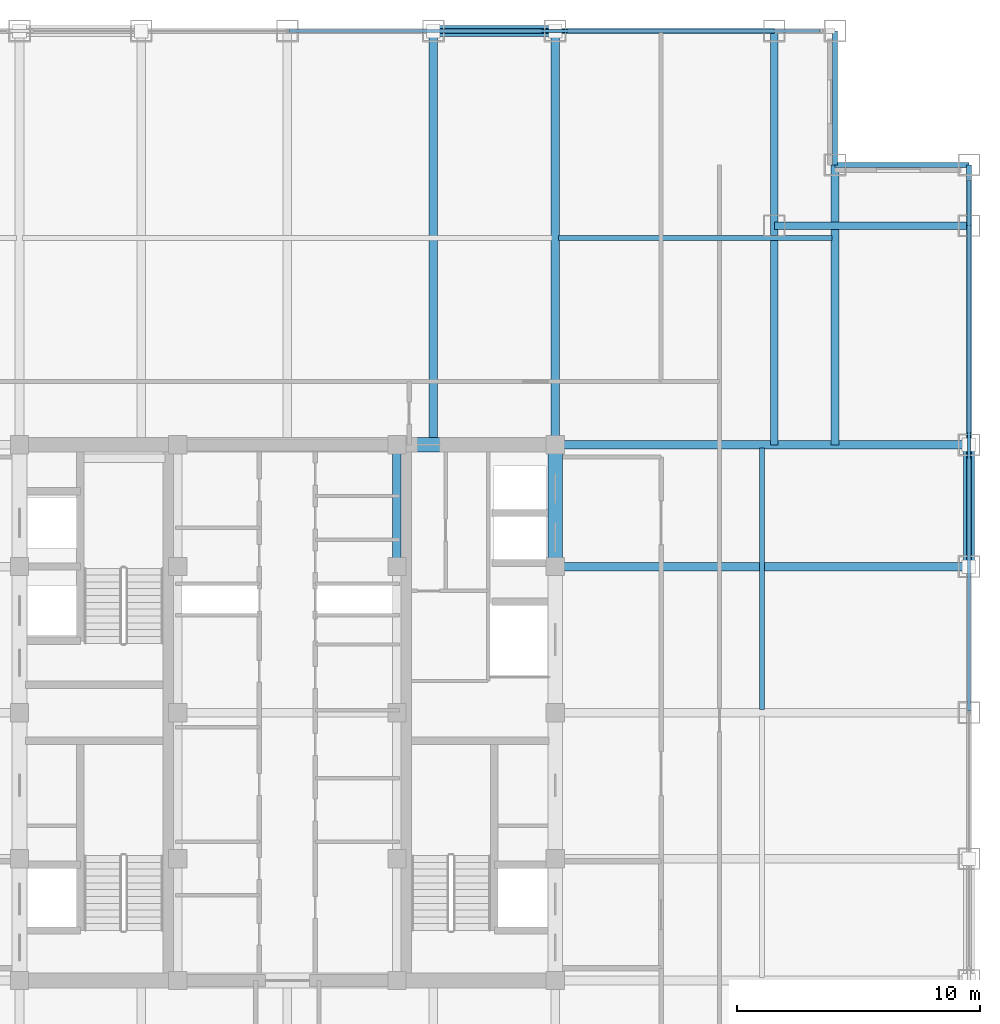
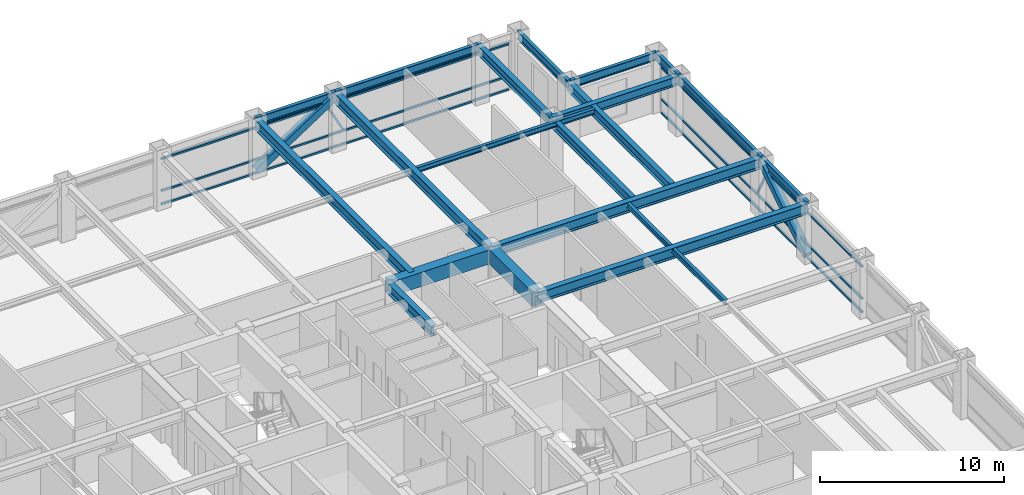
# One storey, part 15 of 22: 19 beams, 10 members, 2 elements without a shape of their own.
"""IFC4 building model written with IfcOpenShell, lengths in metres."""

from ifc_helpers import new_model, si_unit, direction, frame, origin, origin_2d, place, context, subcontext, project, spatial, rectangle, hollow_rectangle, i_section, extrude, source, transform, mapped, material, material_profile, profile_set, type_object, element, aggregate, save


model = new_model("IFC4")

# Units and contexts
model_context = context("Model", 3, precision=1e-05, world=origin(), true_north=direction((0.0, 1.0)))
body_context = subcontext(model_context, "Body", "Model", "MODEL_VIEW")
ifc_project = project(units=[si_unit("LENGTHUNIT", "METRE"), si_unit("AREAUNIT", "SQUARE_METRE"), si_unit("VOLUMEUNIT", "CUBIC_METRE"), si_unit("PLANEANGLEUNIT", "RADIAN"), si_unit("MASSUNIT", "GRAM", prefix="KILO")], contexts=[model_context])

# Site, building, storey
site_placement = place(None, origin())
site = spatial("IfcSite", under=ifc_project, at=site_placement, CompositionType="ELEMENT")
building_placement = place(site_placement, origin())
building = spatial("IfcBuilding", under=site, at=building_placement, Name="Khorayat Bourse Tower", CompositionType="ELEMENT")
storey_placement = place(building_placement, frame((0.0, 0.0, 297.5)))
storey = spatial("IfcBuildingStorey", under=building, at=storey_placement, Name="L70", CompositionType="ELEMENT", Elevation=297.5)

# Beams
ifc_material_1 = material(Name="Steel ASTM A992 Grade 50", Category="steel")
ifc_material_profile_1 = material_profile(ifc_material_1, i_section(OverallWidth=0.35498046875, OverallDepth=0.695068359375, WebThickness=0.015380859375, FlangeThickness=0.02490234375, FilletRadius=0.01806640625, at=origin_2d()), Name="W690X217")
ifc_profile_set_1 = profile_set([ifc_material_profile_1], Name="Steel ASTM A992 Grade 50")
beam_type_1 = type_object("IfcBeamType", Name="BM-GIRD-690", PredefinedType="BEAM", material=ifc_profile_set_1)
shared_shape_1 = source(origin(), body_context, "Body", "SweptSolid", [
    extrude(i_section(OverallWidth=0.35498046875, OverallDepth=0.695068359375, WebThickness=0.015380859375, FlangeThickness=0.02490234375, FilletRadius=0.01806640625, at=origin_2d()), origin(), (0.0, 0.0, 1.0), 5.0),
])
beam_1_placement = place(storey_placement, frame((4.5, 6.0, 3.4326171875), z_axis=(0.0, 1.0, 0.0), x_axis=(-1.0, 0.0, 0.0)))
element("IfcBeam", 1, at=beam_1_placement, inside=storey, type_object=beam_type_1, Name="L70 BM-GIRD-690 BM-L70-CRX-12", PredefinedType="BEAM", context=body_context, shape_type="MappedRepresentation", body=[
    mapped(shared_shape_1, transform((0.0, 0.0, 0.0), scale=1.0)),
])
ifc_material_profile_2 = material_profile(ifc_material_1, i_section(OverallWidth=0.324951171875, OverallDepth=0.615966796875, WebThickness=0.013916015625, FlangeThickness=0.021484375, FilletRadius=0.01611328125, at=origin_2d()), Name="W610X174")
ifc_profile_set_2 = profile_set([ifc_material_profile_2], Name="Steel ASTM A992 Grade 50")
beam_type_2 = type_object("IfcBeamType", Name="BM-GIRD-610", PredefinedType="BEAM", material=ifc_profile_set_2)
shared_shape_2 = source(origin(), body_context, "Body", "SweptSolid", [
    extrude(i_section(OverallWidth=0.324951171875, OverallDepth=0.615966796875, WebThickness=0.013916015625, FlangeThickness=0.021484375, FilletRadius=0.01611328125, at=origin_2d()), origin(), (0.0, 0.0, 1.0), 17.0),
])
beam_2_placement = place(storey_placement, frame((20.0, 11.0, 3.471923828125), z_axis=(0.0, 1.0, 0.0), x_axis=(-1.0, 0.0, 0.0)))
element("IfcBeam", 2, at=beam_2_placement, inside=storey, type_object=beam_type_2, Name="L70 BM-GIRD-610 BM-L70-CNRY-087", PredefinedType="BEAM", context=body_context, shape_type="MappedRepresentation", body=[
    mapped(shared_shape_2, transform((0.0, 0.0, 0.0), scale=1.0)),
])
ifc_material_2 = material(Name="Concrete C60/75", Category="concrete")
ifc_material_profile_3 = material_profile(ifc_material_2, rectangle(XDim=0.60009765625, YDim=0.949951171875, at=origin_2d()), Name="RC 600x950")
ifc_profile_set_3 = profile_set([ifc_material_profile_3], Name="Concrete C60/75")
beam_type_3 = type_object("IfcBeamType", Name="BM-COUP-950", PredefinedType="BEAM", material=ifc_profile_set_3)
shared_shape_3 = source(origin(), body_context, "Body", "SweptSolid", [
    extrude(rectangle(XDim=0.60009765625, YDim=0.949951171875, at=origin_2d()), origin(), (0.0, 0.0, 1.0), 5.0),
])
beam_3_placement = place(storey_placement, frame((11.0, 6.0, 3.304931640625), z_axis=(0.0, 1.0, 0.0), x_axis=(-1.0, 0.0, 0.0)))
element("IfcBeam", 3, at=beam_3_placement, inside=storey, type_object=beam_type_3, Name="L70 BM-COUP-950 BM-L70-CRX-16", PredefinedType="BEAM", context=body_context, shape_type="MappedRepresentation", body=[
    mapped(shared_shape_3, transform((0.0, 0.0, 0.0), scale=1.0)),
])
shared_shape_4 = source(origin(), body_context, "Body", "SweptSolid", [
    extrude(rectangle(XDim=0.60009765625, YDim=0.949951171875, at=origin_2d()), origin(), (0.0, 0.0, 1.0), 6.5),
])
beam_4_placement = place(storey_placement, frame((4.5, 11.0, 3.304931640625), z_axis=(1.0, 0.0, 0.0), x_axis=(0.0, 1.0, 0.0)))
element("IfcBeam", 4, at=beam_4_placement, inside=storey, type_object=beam_type_3, Name="L70 BM-COUP-950 BM-L70-CRY-22", PredefinedType="BEAM", context=body_context, shape_type="MappedRepresentation", body=[
    mapped(shared_shape_4, transform((0.0, 0.0, 0.0), scale=1.0)),
])

# Members
ifc_material_3 = material(Name="Steel EN 10025-4 S460M", Category="steel")
ifc_material_profile_4 = material_profile(ifc_material_3, hollow_rectangle(XDim=0.449951171875, YDim=0.449951171875, WallThickness=0.02490234375, at=origin_2d()), Name="HSS 450x450x25")
ifc_profile_set_4 = profile_set([ifc_material_profile_4], Name="Steel EN 10025-4 S460M")
member_type_1 = type_object("IfcMemberType", Name="MBR-TUBE-450", PredefinedType="BRACE", material=ifc_profile_set_4)
shared_shape_5 = source(origin(), body_context, "Body", "SweptSolid", [
    extrude(hollow_rectangle(XDim=0.449951171875, YDim=0.449951171875, WallThickness=0.02490234375, at=origin_2d()), origin(), (0.0, 0.0, 1.0), 5.979736328125),
])
for number, where, z_axis, x_axis, name in (
    (5, (6.0, 28.0, 0.25), (0.836141536525, 0.0, 0.548513747227), (0.0, 1.0, 0.0), "L70 Perimeter Tube Brace 04"),
    (6, (28.0, 6.0, 0.25), (0.0, 0.836141536525, 0.548513747227), (-1.0, 0.0, 0.0), "L70 Perimeter Tube Brace 08"),
):
    element("IfcMember", number, at=place(storey_placement, frame(where, z_axis=z_axis, x_axis=x_axis)), inside=storey, type_object=member_type_1, Name=name, PredefinedType="BRACE", context=body_context, shape_type="MappedRepresentation", body=[
        mapped(shared_shape_5, transform((0.0, 0.0, 0.0), scale=1.0)),
    ])

# Beams
shared_shape_6 = source(origin(), body_context, "Body", "SweptSolid", [
    extrude(i_section(OverallWidth=0.35498046875, OverallDepth=0.695068359375, WebThickness=0.015380859375, FlangeThickness=0.02490234375, FilletRadius=0.01806640625, at=origin_2d()), origin(), (0.0, 0.0, 1.0), 17.0),
])
for number, where, z_axis, x_axis, name in (
    (7, (6.0, 11.0, 3.4326171875), (0.0, 1.0, 0.0), (-1.0, 0.0, 0.0), "L70 BM-GIRD-690 BM-L70-RADY-070"),
    (8, (11.0, 11.0, 3.4326171875), (0.0, 1.0, 0.0), (-1.0, 0.0, 0.0), "L70 BM-GIRD-690 BM-L70-RADY-072"),
    (9, (11.0, 6.0, 3.4326171875), (1.0, 0.0, 0.0), (0.0, 1.0, 0.0), "L70 BM-GIRD-690 BM-L70-RADX-080"),
    (10, (11.0, 11.0, 3.4326171875), (1.0, 0.0, 0.0), (0.0, 1.0, 0.0), "L70 BM-GIRD-690 BM-L70-RADX-082"),
):
    element("IfcBeam", number, at=place(storey_placement, frame(where, z_axis=z_axis, x_axis=x_axis)), inside=storey, type_object=beam_type_1, Name=name, PredefinedType="BEAM", context=body_context, shape_type="MappedRepresentation", body=[
        mapped(shared_shape_6, transform((0.0, 0.0, 0.0), scale=1.0)),
    ])
shared_shape_7 = source(origin(), body_context, "Body", "SweptSolid", [
    extrude(i_section(OverallWidth=0.324951171875, OverallDepth=0.615966796875, WebThickness=0.013916015625, FlangeThickness=0.021484375, FilletRadius=0.01611328125, at=origin_2d()), origin(), (0.0, 0.0, 1.0), 11.5),
])
beam_5_placement = place(storey_placement, frame((22.5, 11.0, 3.471923828125), z_axis=(0.0, 1.0, 0.0), x_axis=(-1.0, 0.0, 0.0)))
element("IfcBeam", 11, at=beam_5_placement, inside=storey, type_object=beam_type_2, Name="L70 BM-GIRD-610 BM-L70-CNRY-091", PredefinedType="BEAM", context=body_context, shape_type="MappedRepresentation", body=[
    mapped(shared_shape_7, transform((0.0, 0.0, 0.0), scale=1.0)),
])
shared_shape_8 = source(origin(), body_context, "Body", "SweptSolid", [
    extrude(i_section(OverallWidth=0.324951171875, OverallDepth=0.615966796875, WebThickness=0.013916015625, FlangeThickness=0.021484375, FilletRadius=0.01611328125, at=origin_2d()), origin(), (0.0, 0.0, 1.0), 8.0),
])
beam_6_placement = place(storey_placement, frame((20.0, 20.0, 3.471923828125), z_axis=(1.0, 0.0, 0.0), x_axis=(0.0, 1.0, 0.0)))
element("IfcBeam", 12, at=beam_6_placement, inside=storey, type_object=beam_type_2, Name="L70 BM-GIRD-610 BM-L70-CNRX-094", PredefinedType="BEAM", context=body_context, shape_type="MappedRepresentation", body=[
    mapped(shared_shape_8, transform((0.0, 0.0, 0.0), scale=1.0)),
])
ifc_material_profile_5 = material_profile(ifc_material_1, i_section(OverallWidth=0.202880859375, OverallDepth=0.346923828125, WebThickness=0.0078125, FlangeThickness=0.013427734375, FilletRadius=0.010009765625, at=origin_2d()), Name="W360X64")
ifc_profile_set_5 = profile_set([ifc_material_profile_5], Name="Steel ASTM A992 Grade 50")
beam_type_4 = type_object("IfcBeamType", Name="BM-JOIST-360", PredefinedType="JOIST", material=ifc_profile_set_5)
shared_shape_9 = source(origin(), body_context, "Body", "SweptSolid", [
    extrude(i_section(OverallWidth=0.202880859375, OverallDepth=0.346923828125, WebThickness=0.0078125, FlangeThickness=0.013427734375, FilletRadius=0.010009765625, at=origin_2d()), origin(), (0.0, 0.0, 1.0), 11.240234375),
])
beam_7_placement = place(storey_placement, frame((11.1298828125, 19.5, 3.6064453125), z_axis=(1.0, 0.0, 0.0), x_axis=(0.0, 1.0, 0.0)))
element("IfcBeam", 13, at=beam_7_placement, inside=storey, type_object=beam_type_4, Name="L70 BM-JOIST-360 BM-L70-JSTX-101", PredefinedType="JOIST", context=body_context, shape_type="MappedRepresentation", body=[
    mapped(shared_shape_9, transform((0.0, 0.0, 0.0), scale=1.0)),
])
shared_shape_10 = source(origin(), body_context, "Body", "SweptSolid", [
    extrude(i_section(OverallWidth=0.202880859375, OverallDepth=0.346923828125, WebThickness=0.0078125, FlangeThickness=0.013427734375, FilletRadius=0.010009765625, at=origin_2d()), origin(), (0.0, 0.0, 1.0), 10.740234375),
])
beam_8_placement = place(storey_placement, frame((19.5, 0.1298828125, 3.6064453125), z_axis=(0.0, 1.0, 0.0), x_axis=(-1.0, 0.0, 0.0)))
element("IfcBeam", 14, at=beam_8_placement, inside=storey, type_object=beam_type_4, Name="L70 BM-JOIST-360 BM-L70-JSTY-105", PredefinedType="JOIST", context=body_context, shape_type="MappedRepresentation", body=[
    mapped(shared_shape_10, transform((0.0, 0.0, 0.0), scale=1.0)),
])
ifc_material_profile_6 = material_profile(ifc_material_1, i_section(OverallWidth=0.214111328125, OverallDepth=0.549072265625, WebThickness=0.0146484375, FlangeThickness=0.023681640625, FilletRadius=0.013916015625, at=origin_2d()), Name="W530X138")
ifc_profile_set_6 = profile_set([ifc_material_profile_6], Name="Steel ASTM A992 Grade 50")
beam_type_5 = type_object("IfcBeamType", Name="BM-SPAN-530", PredefinedType="SPANDREL", material=ifc_profile_set_6)
shared_shape_11 = source(origin(), body_context, "Body", "SweptSolid", [
    extrude(i_section(OverallWidth=0.214111328125, OverallDepth=0.549072265625, WebThickness=0.0146484375, FlangeThickness=0.023681640625, FilletRadius=0.013916015625, at=origin_2d()), origin(), (0.0, 0.0, 1.0), 2.5),
])
beam_9_placement = place(storey_placement, frame((28.0, 20.0, 3.505615234375), z_axis=(0.0, 1.0, 0.0), x_axis=(-1.0, 0.0, 0.0)))
element("IfcBeam", 15, at=beam_9_placement, inside=storey, type_object=beam_type_5, Name="L70 BM-SPAN-530 BM-L70-SPN-041", PredefinedType="SPANDREL", context=body_context, shape_type="MappedRepresentation", body=[
    mapped(shared_shape_11, transform((0.0, 0.0, 0.0), scale=1.0)),
])
shared_shape_12 = source(origin(), body_context, "Body", "SweptSolid", [
    extrude(i_section(OverallWidth=0.214111328125, OverallDepth=0.549072265625, WebThickness=0.0146484375, FlangeThickness=0.023681640625, FilletRadius=0.013916015625, at=origin_2d()), origin(), (0.0, 0.0, 1.0), 9.0),
])
for number, where, z_axis, x_axis, name in (
    (16, (28.0, 11.0, 3.505615234375), (0.0, 1.0, 0.0), (-1.0, 0.0, 0.0), "L70 BM-SPAN-530 BM-L70-SPN-040"),
    (17, (11.0, 28.0, 3.505615234375), (1.0, 0.0, 0.0), (0.0, 1.0, 0.0), "L70 BM-SPAN-530 BM-L70-SPN-045"),
):
    element("IfcBeam", number, at=place(storey_placement, frame(where, z_axis=z_axis, x_axis=x_axis)), inside=storey, type_object=beam_type_5, Name=name, PredefinedType="SPANDREL", context=body_context, shape_type="MappedRepresentation", body=[
        mapped(shared_shape_12, transform((0.0, 0.0, 0.0), scale=1.0)),
    ])
shared_shape_13 = source(origin(), body_context, "Body", "SweptSolid", [
    extrude(i_section(OverallWidth=0.214111328125, OverallDepth=0.549072265625, WebThickness=0.0146484375, FlangeThickness=0.023681640625, FilletRadius=0.013916015625, at=origin_2d()), origin(), (0.0, 0.0, 1.0), 5.0),
])
for number, where, z_axis, x_axis, name in (
    (18, (28.0, 6.0, 3.505615234375), (0.0, 1.0, 0.0), (-1.0, 0.0, 0.0), "L70 BM-SPAN-530 BM-L70-SPN-039"),
    (19, (6.0, 28.0, 3.505615234375), (1.0, 0.0, 0.0), (0.0, 1.0, 0.0), "L70 BM-SPAN-530 BM-L70-SPN-046"),
):
    element("IfcBeam", number, at=place(storey_placement, frame(where, z_axis=z_axis, x_axis=x_axis)), inside=storey, type_object=beam_type_5, Name=name, PredefinedType="SPANDREL", context=body_context, shape_type="MappedRepresentation", body=[
        mapped(shared_shape_13, transform((0.0, 0.0, 0.0), scale=1.0)),
    ])
shared_shape_14 = source(origin(), body_context, "Body", "SweptSolid", [
    extrude(i_section(OverallWidth=0.214111328125, OverallDepth=0.549072265625, WebThickness=0.0146484375, FlangeThickness=0.023681640625, FilletRadius=0.013916015625, at=origin_2d()), origin(), (0.0, 0.0, 1.0), 5.5),
])
for number, where, z_axis, x_axis, name in (
    (20, (22.5, 22.5, 3.505615234375), (1.0, 0.0, 0.0), (0.0, 1.0, 0.0), "L70 BM-SPAN-530 BM-L70-SPN-042"),
    (21, (22.5, 22.5, 3.505615234375), (0.0, 1.0, 0.0), (-1.0, 0.0, 0.0), "L70 BM-SPAN-530 BM-L70-SPN-043"),
):
    element("IfcBeam", number, at=place(storey_placement, frame(where, z_axis=z_axis, x_axis=x_axis)), inside=storey, type_object=beam_type_5, Name=name, PredefinedType="SPANDREL", context=body_context, shape_type="MappedRepresentation", body=[
        mapped(shared_shape_14, transform((0.0, 0.0, 0.0), scale=1.0)),
    ])

# Curtain wall, member
ifc_material_4 = material(Name="Aluminium EN AW-6063 T6", Category="aluminium")
curtain_wall_type = type_object("IfcCurtainWallType", Name="CW-SYS-04", PredefinedType="NOTDEFINED", material=ifc_material_4)
curtain_wall_1_placement = place(storey_placement, origin())
curtain_wall_1 = element("IfcCurtainWall", 22, at=curtain_wall_1_placement, inside=storey, type_object=curtain_wall_type, Name="L70 Curtain Wall CW-L70-N1", PredefinedType="NOTDEFINED")
ifc_material_profile_7 = material_profile(ifc_material_4, hollow_rectangle(XDim=0.1201171875, YDim=0.1201171875, WallThickness=0.0048828125, at=origin_2d()), Name="ALU 120x120x5")
ifc_profile_set_7 = profile_set([ifc_material_profile_7], Name="Aluminium EN AW-6063 T6")
member_type_2 = type_object("IfcMemberType", Name="CWM-DIAG-120", PredefinedType="MULLION", material=ifc_profile_set_7)
shared_shape_15 = source(origin(), body_context, "Body", "SweptSolid", [
    extrude(hollow_rectangle(XDim=0.1201171875, YDim=0.1201171875, WallThickness=0.0048828125, at=origin_2d()), origin(), (0.0, 0.0, 1.0), 2.0791015625),
])
member_1_placement = place(storey_placement, frame((11.4541015625, 28.0, 1.090087890625), z_axis=(-0.465717394116, 0.0, 0.884933505309), x_axis=(0.0, -1.0, 0.0)))
member_1 = element("IfcMember", 23, at=member_1_placement, type_object=member_type_2, Name="CW-L70-N1 Faceted Diagonal Mullion 2", PredefinedType="MULLION", context=body_context, shape_type="MappedRepresentation", body=[
    mapped(shared_shape_15, transform((0.0, 0.0, 0.0), scale=1.0)),
])

curtain_wall_2_placement = place(storey_placement, origin())
curtain_wall_2 = element("IfcCurtainWall", 24, at=curtain_wall_2_placement, inside=storey, type_object=curtain_wall_type, Name="L70 Curtain Wall CW-L70-E1", PredefinedType="NOTDEFINED")
member_2_placement = place(storey_placement, frame((28.0, 11.4541015625, 1.090087890625), z_axis=(0.0, -0.465717394116, 0.884933505309), x_axis=(1.0, 0.0, 0.0)))
member_2 = element("IfcMember", 25, at=member_2_placement, type_object=member_type_2, Name="CW-L70-E1 Faceted Diagonal Mullion 2", PredefinedType="MULLION", context=body_context, shape_type="MappedRepresentation", body=[
    mapped(shared_shape_15, transform((0.0, 0.0, 0.0), scale=1.0)),
])

# Member
ifc_material_profile_8 = material_profile(ifc_material_4, hollow_rectangle(XDim=0.1201171875, YDim=0.1201171875, WallThickness=0.0048828125, at=origin_2d()), Name="ALU 120x120x5")
ifc_profile_set_8 = profile_set([ifc_material_profile_8], Name="Aluminium EN AW-6063 T6")
member_type_3 = type_object("IfcMemberType", Name="CWT-HORZ-120", PredefinedType="USERDEFINED", material=ifc_profile_set_8)
shared_shape_16 = source(origin(), body_context, "Body", "SweptSolid", [
    extrude(hollow_rectangle(XDim=0.1201171875, YDim=0.1201171875, WallThickness=0.0048828125, at=origin_2d()), origin(), (0.0, 0.0, 1.0), 21.81982421875),
])
member_3_placement = place(storey_placement, frame((0.06005859375, 28.0, 0.06005859375), z_axis=(1.0, 0.0, 0.0), x_axis=(0.0, 1.0, 0.0)))
member_3 = element("IfcMember", 26, at=member_3_placement, type_object=member_type_3, Name="CW-L70-N1 Horizontal Transom 2-1", ObjectType="TRANSOM", PredefinedType="USERDEFINED", context=body_context, shape_type="MappedRepresentation", body=[
    mapped(shared_shape_16, transform((0.0, 0.0, 0.0), scale=1.0)),
])

member_4_placement = place(storey_placement, frame((0.06005859375, 28.0, 0.949951171875), z_axis=(1.0, 0.0, 0.0), x_axis=(0.0, 1.0, 0.0)))
member_4 = element("IfcMember", 27, at=member_4_placement, type_object=member_type_3, Name="CW-L70-N1 Horizontal Transom 2-2", ObjectType="TRANSOM", PredefinedType="USERDEFINED", context=body_context, shape_type="MappedRepresentation", body=[
    mapped(shared_shape_16, transform((0.0, 0.0, 0.0), scale=1.0)),
])

member_5_placement = place(storey_placement, frame((0.06005859375, 28.0, 3.070068359375), z_axis=(1.0, 0.0, 0.0), x_axis=(0.0, 1.0, 0.0)))
member_5 = element("IfcMember", 28, at=member_5_placement, type_object=member_type_3, Name="CW-L70-N1 Horizontal Transom 2-3", ObjectType="TRANSOM", PredefinedType="USERDEFINED", context=body_context, shape_type="MappedRepresentation", body=[
    mapped(shared_shape_16, transform((0.0, 0.0, 0.0), scale=1.0)),
])

aggregate(curtain_wall_1, [member_3, member_4, member_5, member_1])

member_6_placement = place(storey_placement, frame((28.0, 0.06005859375, 0.06005859375), z_axis=(0.0, 1.0, 0.0), x_axis=(-1.0, 0.0, 0.0)))
member_6 = element("IfcMember", 29, at=member_6_placement, type_object=member_type_3, Name="CW-L70-E1 Horizontal Transom 2-1", ObjectType="TRANSOM", PredefinedType="USERDEFINED", context=body_context, shape_type="MappedRepresentation", body=[
    mapped(shared_shape_16, transform((0.0, 0.0, 0.0), scale=1.0)),
])

member_7_placement = place(storey_placement, frame((28.0, 0.06005859375, 0.949951171875), z_axis=(0.0, 1.0, 0.0), x_axis=(-1.0, 0.0, 0.0)))
member_7 = element("IfcMember", 30, at=member_7_placement, type_object=member_type_3, Name="CW-L70-E1 Horizontal Transom 2-2", ObjectType="TRANSOM", PredefinedType="USERDEFINED", context=body_context, shape_type="MappedRepresentation", body=[
    mapped(shared_shape_16, transform((0.0, 0.0, 0.0), scale=1.0)),
])

member_8_placement = place(storey_placement, frame((28.0, 0.06005859375, 3.070068359375), z_axis=(0.0, 1.0, 0.0), x_axis=(-1.0, 0.0, 0.0)))
member_8 = element("IfcMember", 31, at=member_8_placement, type_object=member_type_3, Name="CW-L70-E1 Horizontal Transom 2-3", ObjectType="TRANSOM", PredefinedType="USERDEFINED", context=body_context, shape_type="MappedRepresentation", body=[
    mapped(shared_shape_16, transform((0.0, 0.0, 0.0), scale=1.0)),
])

aggregate(curtain_wall_2, [member_6, member_7, member_8, member_2])

save(model, "model.ifc")
